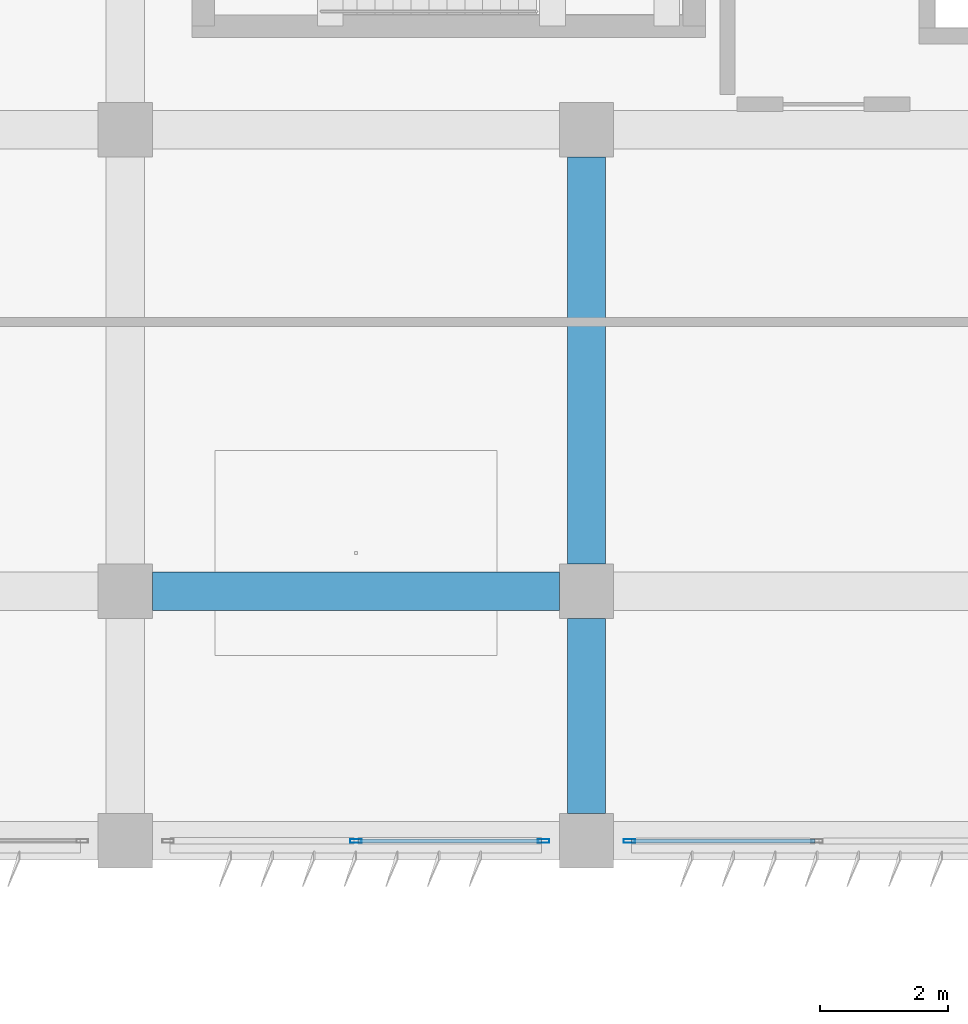
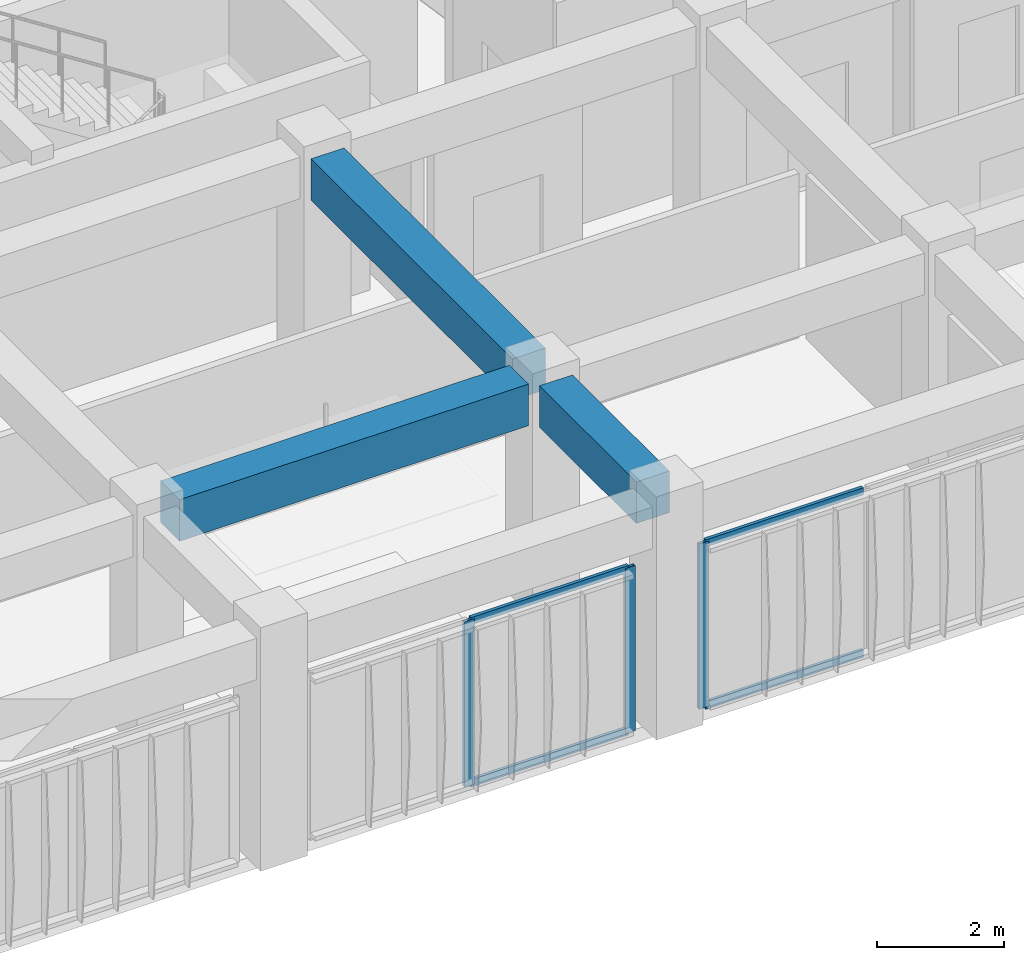
# One storey, part 4 of 55: 7 members, 3 beams, 2 elements without a shape of their own.
"""IFC4 building model written with IfcOpenShell, lengths in metres."""

from ifc_helpers import new_model, si_unit, direction, frame, origin, origin_2d, place, context, subcontext, project, spatial, rectangle, hollow_rectangle, extrude, material, material_profile, profile_set, type_object, element, aggregate, save


model = new_model("IFC4")

# Units and contexts
model_context = context("Model", 3, precision=1e-05, world=origin(), true_north=direction((0.0, 1.0)))
body_context = subcontext(model_context, "Body", "Model", "MODEL_VIEW")
ifc_project = project(units=[si_unit("LENGTHUNIT", "METRE"), si_unit("AREAUNIT", "SQUARE_METRE"), si_unit("VOLUMEUNIT", "CUBIC_METRE"), si_unit("PLANEANGLEUNIT", "RADIAN"), si_unit("MASSUNIT", "GRAM", prefix="KILO")], contexts=[model_context])

# Site, building, storey
site_placement = place(None, origin())
site = spatial("IfcSite", under=ifc_project, at=site_placement, CompositionType="ELEMENT")
building_placement = place(site_placement, origin())
building = spatial("IfcBuilding", under=site, at=building_placement, Name="Kazehaya Institute of Natural Sciences", CompositionType="ELEMENT")
storey_placement = place(building_placement, frame((0.0, 0.0, 15.1201171875)))
storey = spatial("IfcBuildingStorey", under=building, at=storey_placement, Name="L03", CompositionType="ELEMENT", Elevation=15.1201171875)

# Beams
ifc_material_1 = material(Name="Concrete Fc36", Category="concrete")
ifc_material_profile_1 = material_profile(ifc_material_1, rectangle(XDim=0.60009765625, YDim=0.800048828125, at=origin_2d()), Name="RC-600x800")
ifc_profile_set_1 = profile_set([ifc_material_profile_1], Name="Concrete Fc36")
beam_type = type_object("IfcBeamType", Name="BM-G-600x800", PredefinedType="BEAM", material=ifc_profile_set_1)
beam_1_placement = place(storey_placement, frame((62.22509765625, 14.0, 4.009765625), z_axis=(1.0, 0.0, 0.0), x_axis=(0.0, 1.0, 0.0)))
element("IfcBeam", 1, at=beam_1_placement, inside=storey, type_object=beam_type, Name="L03 primary X girder BMX-L03-618-140", PredefinedType="BEAM", context=body_context, shape_type="SweptSolid", body=[
    extrude(rectangle(XDim=0.60009765625, YDim=0.800048828125, at=origin_2d()), origin(), (0.0, 0.0, 1.0), 6.349853515625),
])
beam_2_placement = place(storey_placement, frame((69.0, 10.52490234375, 4.009765625), z_axis=(0.0, 1.0, 0.0), x_axis=(-1.0, 0.0, 0.0)))
element("IfcBeam", 2, at=beam_2_placement, inside=storey, type_object=beam_type, Name="L03 primary Y girder BMY-L03-690-101", PredefinedType="BEAM", context=body_context, shape_type="SweptSolid", body=[
    extrude(rectangle(XDim=0.60009765625, YDim=0.800048828125, at=origin_2d()), origin(), (0.0, 0.0, 1.0), 3.050048828125),
])
beam_3_placement = place(storey_placement, frame((69.0, 14.425048828125, 4.009765625), z_axis=(0.0, 1.0, 0.0), x_axis=(-1.0, 0.0, 0.0)))
element("IfcBeam", 3, at=beam_3_placement, inside=storey, type_object=beam_type, Name="L03 primary Y girder BMY-L03-690-140", PredefinedType="BEAM", context=body_context, shape_type="SweptSolid", body=[
    extrude(rectangle(XDim=0.60009765625, YDim=0.800048828125, at=origin_2d()), origin(), (0.0, 0.0, 1.0), 6.349853515625),
])

# Curtain wall, member
ifc_material_2 = material(Name="Aluminium alloy A6063S-T5", Category="aluminium")
curtain_wall_type = type_object("IfcCurtainWallType", Name="CW-SYS-03", PredefinedType="NOTDEFINED", material=ifc_material_2)
curtain_wall_1_placement = place(storey_placement, origin())
curtain_wall_1 = element("IfcCurtainWall", 4, at=curtain_wall_1_placement, inside=storey, type_object=curtain_wall_type, Name="L03 unitised curtain wall CW-L03-063", PredefinedType="NOTDEFINED")
ifc_material_profile_2 = material_profile(ifc_material_2, hollow_rectangle(XDim=0.06005859375, YDim=0.179931640625, WallThickness=0.00390625, at=origin_2d()), Name="ALU-60x180x4")
ifc_profile_set_2 = profile_set([ifc_material_profile_2], Name="Aluminium alloy A6063S-T5")
member_type_1 = type_object("IfcMemberType", Name="CWM-180", PredefinedType="MULLION", material=ifc_profile_set_2)
member_1_placement = place(storey_placement, frame((69.669921875, 10.10009765625, 0.0), z_axis=(0.0, 0.0, 1.0), x_axis=(0.0, -1.0, 0.0)))
member_1 = element("IfcMember", 5, at=member_1_placement, type_object=member_type_1, Name="CW03 mullion 3", PredefinedType="MULLION", context=body_context, shape_type="SweptSolid", body=[
    extrude(hollow_rectangle(XDim=0.06005859375, YDim=0.179931640625, WallThickness=0.00390625, at=origin_2d()), origin(), (0.0, 0.0, 1.0), 3.179931640625),
])

# Curtain wall, members
curtain_wall_2_placement = place(storey_placement, origin())
curtain_wall_2 = element("IfcCurtainWall", 6, at=curtain_wall_2_placement, inside=storey, type_object=curtain_wall_type, Name="L03 unitised curtain wall CW-L03-064", PredefinedType="NOTDEFINED")
member_2_placement = place(storey_placement, frame((68.330078125, 10.10009765625, 0.0), z_axis=(0.0, 0.0, 1.0), x_axis=(0.0, -1.0, 0.0)))
member_2 = element("IfcMember", 7, at=member_2_placement, type_object=member_type_1, Name="CW03 mullion 1", PredefinedType="MULLION", context=body_context, shape_type="SweptSolid", body=[
    extrude(hollow_rectangle(XDim=0.06005859375, YDim=0.179931640625, WallThickness=0.00390625, at=origin_2d()), origin(), (0.0, 0.0, 1.0), 3.179931640625),
])
member_3_placement = place(storey_placement, frame((65.39990234375, 10.10009765625, 0.0), z_axis=(0.0, 0.0, 1.0), x_axis=(0.0, -1.0, 0.0)))
member_3 = element("IfcMember", 8, at=member_3_placement, type_object=member_type_1, Name="CW03 mullion 2", PredefinedType="MULLION", context=body_context, shape_type="SweptSolid", body=[
    extrude(hollow_rectangle(XDim=0.06005859375, YDim=0.179931640625, WallThickness=0.00390625, at=origin_2d()), origin(), (0.0, 0.0, 1.0), 3.179931640625),
])

# Member
ifc_material_profile_3 = material_profile(ifc_material_2, hollow_rectangle(XDim=0.06005859375, YDim=0.139892578125, WallThickness=0.00341796875, at=origin_2d()), Name="ALU-60x140x3.5")
ifc_profile_set_3 = profile_set([ifc_material_profile_3], Name="Aluminium alloy A6063S-T5")
member_type_2 = type_object("IfcMemberType", Name="CWT-140", PredefinedType="USERDEFINED", material=ifc_profile_set_3)
member_4_placement = place(storey_placement, frame((72.570068359375, 10.10009765625, 0.02978515625), z_axis=(-1.0, 0.0, 0.0), x_axis=(0.0, -1.0, 0.0)))
member_4 = element("IfcMember", 9, at=member_4_placement, type_object=member_type_2, Name="CW03 transom 2.1", ObjectType="TRANSOM", PredefinedType="USERDEFINED", context=body_context, shape_type="SweptSolid", body=[
    extrude(hollow_rectangle(XDim=0.06005859375, YDim=0.139892578125, WallThickness=0.00341796875, at=origin_2d()), origin(), (0.0, 0.0, 1.0), 2.8701171875),
])

member_5_placement = place(storey_placement, frame((72.570068359375, 10.10009765625, 3.14990234375), z_axis=(-1.0, 0.0, 0.0), x_axis=(0.0, -1.0, 0.0)))
member_5 = element("IfcMember", 10, at=member_5_placement, type_object=member_type_2, Name="CW03 transom 2.2", ObjectType="TRANSOM", PredefinedType="USERDEFINED", context=body_context, shape_type="SweptSolid", body=[
    extrude(hollow_rectangle(XDim=0.06005859375, YDim=0.139892578125, WallThickness=0.00341796875, at=origin_2d()), origin(), (0.0, 0.0, 1.0), 2.8701171875),
])

aggregate(curtain_wall_1, [member_1, member_4, member_5])

member_6_placement = place(storey_placement, frame((68.300048828125, 10.10009765625, 0.02978515625), z_axis=(-1.0, 0.0, 0.0), x_axis=(0.0, -1.0, 0.0)))
member_6 = element("IfcMember", 11, at=member_6_placement, type_object=member_type_2, Name="CW03 transom 1.1", ObjectType="TRANSOM", PredefinedType="USERDEFINED", context=body_context, shape_type="SweptSolid", body=[
    extrude(hollow_rectangle(XDim=0.06005859375, YDim=0.139892578125, WallThickness=0.00341796875, at=origin_2d()), origin(), (0.0, 0.0, 1.0), 2.8701171875),
])

member_7_placement = place(storey_placement, frame((68.300048828125, 10.10009765625, 3.14990234375), z_axis=(-1.0, 0.0, 0.0), x_axis=(0.0, -1.0, 0.0)))
member_7 = element("IfcMember", 12, at=member_7_placement, type_object=member_type_2, Name="CW03 transom 1.2", ObjectType="TRANSOM", PredefinedType="USERDEFINED", context=body_context, shape_type="SweptSolid", body=[
    extrude(hollow_rectangle(XDim=0.06005859375, YDim=0.139892578125, WallThickness=0.00341796875, at=origin_2d()), origin(), (0.0, 0.0, 1.0), 2.8701171875),
])

aggregate(curtain_wall_2, [member_2, member_3, member_6, member_7])

save(model, "model.ifc")
